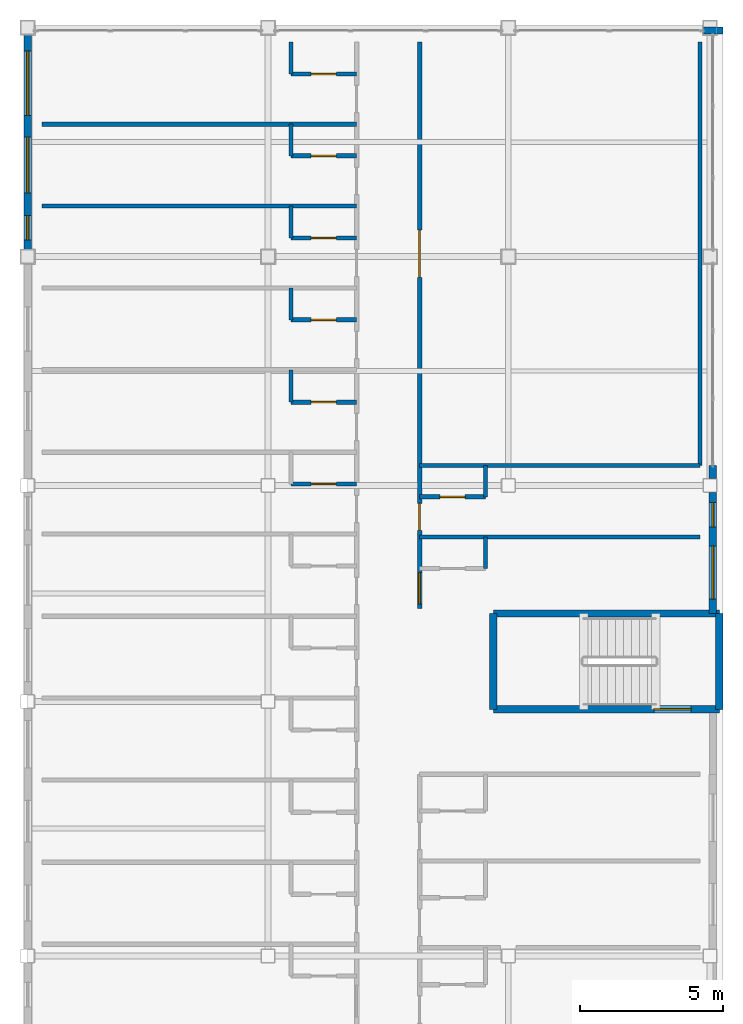
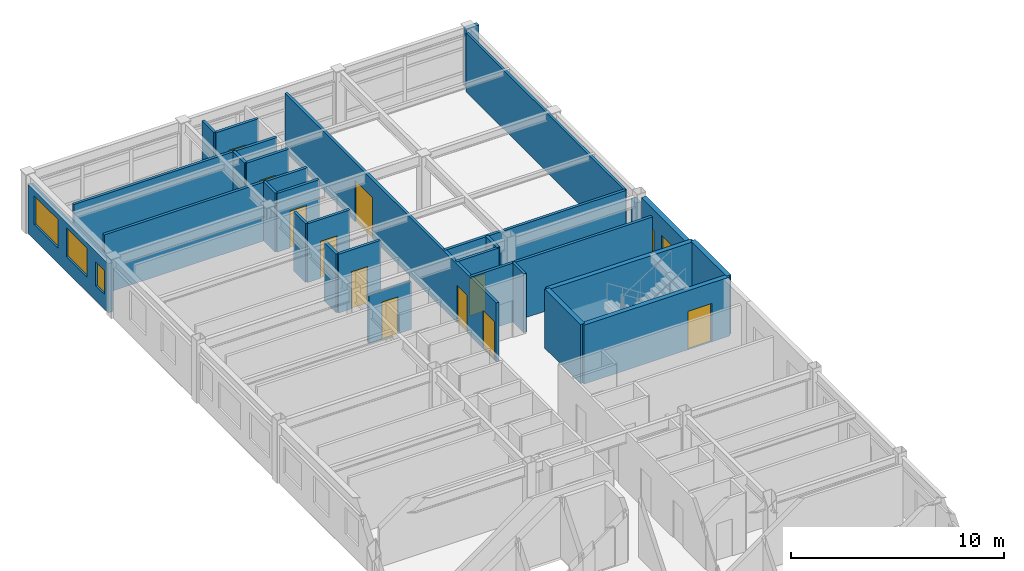
# One storey, part 30 of 33: 28 walls, 11 doors, 5 windows, 16 openings.
"""IFC4 building model written with IfcOpenShell, lengths in metres."""

from ifc_helpers import new_model, si_unit, direction, frame, frame_2d, origin, place, context, subcontext, project, spatial, rectangle, extrude, material, layer, layer_set, type_object, element, fill, save


model = new_model("IFC4")

# Units and contexts
model_context = context("Model", 3, precision=1e-05, world=origin(), true_north=direction((0.0, 1.0)))
body_context = subcontext(model_context, "Body", "Model", "MODEL_VIEW")
ifc_project = project(units=[si_unit("LENGTHUNIT", "METRE"), si_unit("AREAUNIT", "SQUARE_METRE"), si_unit("VOLUMEUNIT", "CUBIC_METRE"), si_unit("PLANEANGLEUNIT", "RADIAN"), si_unit("MASSUNIT", "GRAM", prefix="KILO")], contexts=[model_context])

# Site, building, storey
site_placement = place(None, origin())
site = spatial("IfcSite", under=ifc_project, at=site_placement, CompositionType="ELEMENT")
building_placement = place(site_placement, origin())
building = spatial("IfcBuilding", under=site, at=building_placement, Name="Kazehara Bluff Congress Hotel", CompositionType="ELEMENT")
storey_placement = place(building_placement, frame((0.0, 0.0, 39.0)))
storey = spatial("IfcBuildingStorey", under=building, at=storey_placement, Name="L09", CompositionType="ELEMENT", Elevation=39.0)

# Walls
ifc_material_1 = material(Name="Concrete C40/50", Category="concrete")
ifc_layer_1 = layer(ifc_material_1, 0.25)
ifc_layer_set_1 = layer_set([ifc_layer_1], Name="Concrete C40/50")
wall_type_1 = type_object("IfcWallType", Name="TP-CW-RC", PredefinedType="SHEAR", material=ifc_layer_set_1)
for number, where, z_axis, x_axis, name in (
    (1, (167.875, 76.425048828125, 0.0), (0.0, 0.0, 1.0), (0.0, -1.0, 0.0), "L09 ST-12 core wall near"),
    (2, (159.97509765625, 73.074951171875, 0.0), (0.0, 0.0, 1.0), (0.0, 1.0, 0.0), "L09 ST-12 core wall far"),
):
    element("IfcWall", number, at=place(storey_placement, frame(where, z_axis=z_axis, x_axis=x_axis)), inside=storey, type_object=wall_type_1, Name=name, PredefinedType="SHEAR", context=body_context, shape_type="SweptSolid", body=[
        extrude(rectangle(XDim=3.35009765625, YDim=0.25, at=frame_2d((1.675048828125, 0.0))), origin(), (0.0, 0.0, 1.0), 3.3798828125),
    ])
wall_1_placement = place(storey_placement, frame((159.97509765625, 76.425048828125, 0.0), z_axis=(0.0, 0.0, 1.0), x_axis=(1.0, 0.0, 0.0)))
element("IfcWall", 3, at=wall_1_placement, inside=storey, type_object=wall_type_1, Name="L09 ST-12 core wall left", PredefinedType="SHEAR", context=body_context, shape_type="SweptSolid", body=[
    extrude(rectangle(XDim=7.89990234375, YDim=0.25, at=frame_2d((3.949951171875, 0.0))), origin(), (0.0, 0.0, 1.0), 3.3798828125),
])

# Wall, opening, door
wall_2_placement = place(storey_placement, frame((167.875, 73.074951171875, 0.0), z_axis=(0.0, 0.0, 1.0), x_axis=(-1.0, 0.0, 0.0)))
wall_2 = element("IfcWall", 4, at=wall_2_placement, inside=storey, type_object=wall_type_1, Name="L09 ST-12 core wall right", PredefinedType="SHEAR", context=body_context, shape_type="SweptSolid", body=[
    extrude(rectangle(XDim=7.89990234375, YDim=0.25, at=frame_2d((3.949951171875, 0.0))), origin(), (0.0, 0.0, 1.0), 3.3798828125),
])
opening_1_placement = place(wall_2_placement, frame((0.985107421875, 0.0, 0.0)))
opening_1 = element("IfcOpeningElement", 5, at=opening_1_placement, cuts=wall_2, Name="Opening FD-01", PredefinedType="OPENING", context=body_context, shape_type="SweptSolid", body=[
    extrude(rectangle(XDim=1.300048828125, YDim=2.199951171875, at=frame_2d((0.64990234375, 1.10009765625))), frame((0.0, 0.135009765625, 0.0), z_axis=(0.0, -1.0, 0.0), x_axis=(1.0, 0.0, 0.0)), (0.0, 0.0, 1.0), 0.27001953125),
])
ifc_material_2 = material(Name="Fire-rated painted steel leaf", Category="steel")
door_type_1 = type_object("IfcDoorType", Name="TP-FD-01", OperationType="NOTDEFINED", PredefinedType="DOOR", material=ifc_material_2)
door_1_placement = place(opening_1_placement, origin())
door_1 = element("IfcDoor", 6, at=door_1_placement, inside=storey, type_object=door_type_1, Name="L09 ST-12 fire stair door", OperationType="SINGLE_SWING_LEFT", OverallHeight=2.199951171875, OverallWidth=1.300048828125, PredefinedType="DOOR", context=body_context, shape_type="SweptSolid", body=[
    extrude(rectangle(XDim=1.300048828125, YDim=2.199951171875, at=frame_2d((0.64990234375, 1.10009765625))), frame((0.0, 0.02490234375, 0.0), z_axis=(0.0, -1.0, 0.0), x_axis=(1.0, 0.0, 0.0)), (0.0, 0.0, 1.0), 0.050048828125),
])
fill(opening_1, door_1)

# Wall
ifc_material_3 = material(Name="Precast concrete C40/50", Category="concrete")
ifc_layer_2 = layer(ifc_material_3, 0.239990234375)
ifc_layer_set_2 = layer_set([ifc_layer_2], Name="Precast concrete C40/50")
wall_type_2 = type_object("IfcWallType", Name="TP-EW-240", PredefinedType="SOLIDWALL", material=ifc_layer_set_2)
wall_3_placement = place(storey_placement, frame((167.300048828125, 96.800048828125, 0.0), z_axis=(0.0, 0.0, 1.0), x_axis=(1.0, 0.0, 0.0)))
element("IfcWall", 7, at=wall_3_placement, inside=storey, type_object=wall_type_2, Name="L09 V5 perimeter spandrel pier 754", PredefinedType="SOLIDWALL", context=body_context, shape_type="SweptSolid", body=[
    extrude(rectangle(XDim=0.699951171875, YDim=0.239990234375, at=frame_2d((0.35009765625, 0.0))), origin(), (0.0, 0.0, 1.0), 3.364990234375),
])

# Wall, openings, windows
ifc_material_4 = material(Name="Precast concrete C40/50", Category="concrete")
ifc_layer_3 = layer(ifc_material_4, 0.260009765625)
ifc_layer_set_3 = layer_set([ifc_layer_3], Name="Precast concrete C40/50")
wall_type_3 = type_object("IfcWallType", Name="TP-EW-260", PredefinedType="SOLIDWALL", material=ifc_layer_set_3)
wall_4_placement = place(storey_placement, frame((167.64990234375, 80.64990234375, 0.0), z_axis=(0.0, 0.0, 1.0), x_axis=(0.0, -1.0, 0.0)))
wall_4 = element("IfcWall", 8, at=wall_4_placement, inside=storey, type_object=wall_type_3, Name="L09 hotel facade panel 138", PredefinedType="SOLIDWALL", context=body_context, shape_type="SweptSolid", body=[
    extrude(rectangle(XDim=4.224853515625, YDim=0.260009765625, at=frame_2d((2.1123046875, 0.0))), origin(), (0.0, 0.0, 1.0), 3.364990234375),
])
opening_2_placement = place(wall_4_placement, frame((1.875, 0.0, 0.85009765625)))
opening_2 = element("IfcOpeningElement", 9, at=opening_2_placement, cuts=wall_4, Name="Opening WN-37", PredefinedType="OPENING", context=body_context, shape_type="SweptSolid", body=[
    extrude(rectangle(XDim=1.85009765625, YDim=1.5, at=frame_2d((0.925048828125, 0.75))), frame((0.0, 0.139892578125, 0.0), z_axis=(0.0, -1.0, 0.0), x_axis=(1.0, 0.0, 0.0)), (0.0, 0.0, 1.0), 0.280029296875),
])
opening_3_placement = place(wall_4_placement, frame((0.35009765625, 0.0, 0.85009765625)))
opening_3 = element("IfcOpeningElement", 10, at=opening_3_placement, cuts=wall_4, Name="Opening WN-55", PredefinedType="OPENING", context=body_context, shape_type="SweptSolid", body=[
    extrude(rectangle(XDim=0.85009765625, YDim=1.35009765625, at=frame_2d((0.425048828125, 0.675048828125))), frame((0.0, 0.139892578125, 0.0), z_axis=(0.0, -1.0, 0.0), x_axis=(1.0, 0.0, 0.0)), (0.0, 0.0, 1.0), 0.280029296875),
])
ifc_material_5 = material(Name="Insulated low-E double glazing", Category="glass")
window_type_1 = type_object("IfcWindowType", Name="TP-WN-37", PartitioningType="DOUBLE_PANEL_VERTICAL", PredefinedType="WINDOW", material=ifc_material_5)
window_1_placement = place(opening_2_placement, origin())
window_1 = element("IfcWindow", 11, at=window_1_placement, inside=storey, type_object=window_type_1, Name="L09 guestroom window WN-37 272", OverallHeight=1.5, OverallWidth=1.85009765625, PartitioningType="SINGLE_PANEL", PredefinedType="WINDOW", context=body_context, shape_type="SweptSolid", body=[
    extrude(rectangle(XDim=1.85009765625, YDim=1.5, at=frame_2d((0.925048828125, 0.75))), frame((0.0, 0.030029296875, 0.0), z_axis=(0.0, -1.0, 0.0), x_axis=(1.0, 0.0, 0.0)), (0.0, 0.0, 1.0), 0.06005859375),
])
fill(opening_2, window_1)
ifc_material_6 = material(Name="Insulated low-E double glazing", Category="glass")
window_type_2 = type_object("IfcWindowType", Name="TP-WN-55", PartitioningType="SINGLE_PANEL", PredefinedType="WINDOW", material=ifc_material_6)
window_2_placement = place(opening_3_placement, origin())
window_2 = element("IfcWindow", 12, at=window_2_placement, inside=storey, type_object=window_type_2, Name="L09 guestroom window WN-55 273", OverallHeight=1.35009765625, OverallWidth=0.85009765625, PartitioningType="SINGLE_PANEL", PredefinedType="WINDOW", context=body_context, shape_type="SweptSolid", body=[
    extrude(rectangle(XDim=0.85009765625, YDim=1.35009765625, at=frame_2d((0.425048828125, 0.675048828125))), frame((0.0, 0.030029296875, 0.0), z_axis=(0.0, -1.0, 0.0), x_axis=(1.0, 0.0, 0.0)), (0.0, 0.0, 1.0), 0.06005859375),
])
fill(opening_3, window_2)

# Wall
wall_5_placement = place(storey_placement, frame((167.64990234375, 81.60009765625, 0.0), z_axis=(0.0, 0.0, 1.0), x_axis=(0.0, -1.0, 0.0)))
element("IfcWall", 13, at=wall_5_placement, inside=storey, type_object=wall_type_3, Name="L09 hotel facade panel 139", PredefinedType="SOLIDWALL", context=body_context, shape_type="SweptSolid", body=[
    extrude(rectangle(XDim=0.4501953125, YDim=0.260009765625, at=frame_2d((0.22509765625, 0.0))), origin(), (0.0, 0.0, 1.0), 2.7548828125),
])

# Wall, openings, windows
wall_6_placement = place(storey_placement, frame((143.699951171875, 89.14990234375, 0.0), z_axis=(0.0, 0.0, 1.0), x_axis=(0.0, 1.0, 0.0)))
wall_6 = element("IfcWall", 14, at=wall_6_placement, inside=storey, type_object=wall_type_3, Name="L09 hotel facade panel 149", PredefinedType="SOLIDWALL", context=body_context, shape_type="SweptSolid", body=[
    extrude(rectangle(XDim=7.5, YDim=0.260009765625, at=frame_2d((3.75, 0.0))), origin(), (0.0, 0.0, 1.0), 2.804931640625),
])
opening_4_placement = place(wall_6_placement, frame((0.330078125, 0.0, 0.85009765625)))
opening_4 = element("IfcOpeningElement", 15, at=opening_4_placement, cuts=wall_6, Name="Opening WN-55", PredefinedType="OPENING", context=body_context, shape_type="SweptSolid", body=[
    extrude(rectangle(XDim=0.85009765625, YDim=1.35009765625, at=frame_2d((0.425048828125, 0.675048828125))), frame((0.0, 0.139892578125, 0.0), z_axis=(0.0, -1.0, 0.0), x_axis=(1.0, 0.0, 0.0)), (0.0, 0.0, 1.0), 0.280029296875),
])
opening_5_placement = place(wall_6_placement, frame((1.97509765625, 0.0, 0.85009765625)))
opening_5 = element("IfcOpeningElement", 16, at=opening_5_placement, cuts=wall_6, Name="Opening WN-43", PredefinedType="OPENING", context=body_context, shape_type="SweptSolid", body=[
    extrude(rectangle(XDim=1.949951171875, YDim=1.64990234375, at=frame_2d((0.97509765625, 0.824951171875))), frame((0.0, 0.139892578125, 0.0), z_axis=(0.0, -1.0, 0.0), x_axis=(1.0, 0.0, 0.0)), (0.0, 0.0, 1.0), 0.280029296875),
])
opening_6_placement = place(wall_6_placement, frame((4.68994140625, 0.0, 0.85009765625)))
opening_6 = element("IfcOpeningElement", 17, at=opening_6_placement, cuts=wall_6, Name="Opening WN-53", PredefinedType="OPENING", context=body_context, shape_type="SweptSolid", body=[
    extrude(rectangle(XDim=2.25, YDim=1.64990234375, at=frame_2d((1.125, 0.824951171875))), frame((0.0, 0.139892578125, 0.0), z_axis=(0.0, -1.0, 0.0), x_axis=(1.0, 0.0, 0.0)), (0.0, 0.0, 1.0), 0.280029296875),
])
ifc_material_7 = material(Name="Insulated low-E double glazing", Category="glass")
window_type_3 = type_object("IfcWindowType", Name="TP-WN-43", PartitioningType="DOUBLE_PANEL_VERTICAL", PredefinedType="WINDOW", material=ifc_material_7)
window_3_placement = place(opening_5_placement, origin())
window_3 = element("IfcWindow", 18, at=window_3_placement, inside=storey, type_object=window_type_3, Name="L09 guestroom window WN-43 293", OverallHeight=1.64990234375, OverallWidth=1.949951171875, PartitioningType="SINGLE_PANEL", PredefinedType="WINDOW", context=body_context, shape_type="SweptSolid", body=[
    extrude(rectangle(XDim=1.949951171875, YDim=1.64990234375, at=frame_2d((0.97509765625, 0.824951171875))), frame((0.0, 0.030029296875, 0.0), z_axis=(0.0, -1.0, 0.0), x_axis=(1.0, 0.0, 0.0)), (0.0, 0.0, 1.0), 0.06005859375),
])
fill(opening_5, window_3)
ifc_material_8 = material(Name="Insulated low-E double glazing", Category="glass")
window_type_4 = type_object("IfcWindowType", Name="TP-WN-53", PartitioningType="DOUBLE_PANEL_VERTICAL", PredefinedType="WINDOW", material=ifc_material_8)
window_4_placement = place(opening_6_placement, origin())
window_4 = element("IfcWindow", 19, at=window_4_placement, inside=storey, type_object=window_type_4, Name="L09 guestroom window WN-53 294", OverallHeight=1.64990234375, OverallWidth=2.25, PartitioningType="SINGLE_PANEL", PredefinedType="WINDOW", context=body_context, shape_type="SweptSolid", body=[
    extrude(rectangle(XDim=2.25, YDim=1.64990234375, at=frame_2d((1.125, 0.824951171875))), frame((0.0, 0.030029296875, 0.0), z_axis=(0.0, -1.0, 0.0), x_axis=(1.0, 0.0, 0.0)), (0.0, 0.0, 1.0), 0.06005859375),
])
fill(opening_6, window_4)
window_5_placement = place(opening_4_placement, origin())
window_5 = element("IfcWindow", 20, at=window_5_placement, inside=storey, type_object=window_type_2, Name="L09 guestroom window WN-55 292", OverallHeight=1.35009765625, OverallWidth=0.85009765625, PartitioningType="SINGLE_PANEL", PredefinedType="WINDOW", context=body_context, shape_type="SweptSolid", body=[
    extrude(rectangle(XDim=0.85009765625, YDim=1.35009765625, at=frame_2d((0.425048828125, 0.675048828125))), frame((0.0, 0.030029296875, 0.0), z_axis=(0.0, -1.0, 0.0), x_axis=(1.0, 0.0, 0.0)), (0.0, 0.0, 1.0), 0.06005859375),
])
fill(opening_4, window_5)

# Walls
ifc_material_9 = material(Name="Fire-rated gypsum board stud partition")
ifc_layer_4 = layer(ifc_material_9, 0.1298828125)
ifc_layer_set_4 = layer_set([ifc_layer_4], Name="Fire-rated gypsum board stud partition")
wall_type_4 = type_object("IfcWallType", Name="TP-PT-130", PredefinedType="PARTITIONING", material=ifc_layer_set_4)
wall_7_placement = place(storey_placement, frame((167.199951171875, 81.60009765625, 0.0), z_axis=(0.0, 0.0, 1.0), x_axis=(0.0, 1.0, 0.0)))
element("IfcWall", 21, at=wall_7_placement, inside=storey, type_object=wall_type_4, Name="L09 partition PT-130 1315", PredefinedType="PARTITIONING", context=body_context, shape_type="SweptSolid", body=[
    extrude(rectangle(XDim=14.7998046875, YDim=0.1298828125, at=frame_2d((7.39990234375, 0.0))), origin(), (0.0, 0.0, 1.0), 3.364990234375),
])
ifc_material_10 = material(Name="Fire-rated gypsum board stud partition")
ifc_layer_5 = layer(ifc_material_10, 0.14990234375)
ifc_layer_set_5 = layer_set([ifc_layer_5], Name="Fire-rated gypsum board stud partition")
wall_type_5 = type_object("IfcWallType", Name="TP-PT-150", PredefinedType="PARTITIONING", material=ifc_layer_set_5)
wall_8_placement = place(storey_placement, frame((157.39990234375, 79.10009765625, 0.0), z_axis=(0.0, 0.0, 1.0), x_axis=(1.0, 0.0, 0.0)))
element("IfcWall", 22, at=wall_8_placement, inside=storey, type_object=wall_type_5, Name="L09 partition PT-150 1246", PredefinedType="PARTITIONING", context=body_context, shape_type="SweptSolid", body=[
    extrude(rectangle(XDim=9.800048828125, YDim=0.14990234375, at=frame_2d((4.89990234375, 0.0))), origin(), (0.0, 0.0, 1.0), 3.364990234375),
])

# Wall, opening, door
wall_9_placement = place(storey_placement, frame((157.39990234375, 80.5, 0.0), z_axis=(0.0, 0.0, 1.0), x_axis=(1.0, 0.0, 0.0)))
wall_9 = element("IfcWall", 23, at=wall_9_placement, inside=storey, type_object=wall_type_5, Name="L09 partition PT-150 1248", PredefinedType="PARTITIONING", context=body_context, shape_type="SweptSolid", body=[
    extrude(rectangle(XDim=2.300048828125, YDim=0.14990234375, at=frame_2d((1.14990234375, 0.0))), origin(), (0.0, 0.0, 1.0), 3.364990234375),
])
opening_7_placement = place(wall_9_placement, frame((0.7099609375, 0.0, 0.0)))
opening_7 = element("IfcOpeningElement", 24, at=opening_7_placement, cuts=wall_9, Name="Opening BD-02", PredefinedType="OPENING", context=body_context, shape_type="SweptSolid", body=[
    extrude(rectangle(XDim=0.8798828125, YDim=2.1201171875, at=frame_2d((0.43994140625, 1.06005859375))), frame((0.0, 0.0849609375, 0.0), z_axis=(0.0, -1.0, 0.0), x_axis=(1.0, 0.0, 0.0)), (0.0, 0.0, 1.0), 0.169921875),
])
ifc_material_11 = material(Name="Architectural oak veneer leaf")
door_type_2 = type_object("IfcDoorType", Name="TP-BD-02", OperationType="NOTDEFINED", PredefinedType="DOOR", material=ifc_material_11)
door_2_placement = place(opening_7_placement, origin())
door_2 = element("IfcDoor", 25, at=door_2_placement, inside=storey, type_object=door_type_2, Name="L09 En-suite Bathroom 294 door", OperationType="SINGLE_SWING_RIGHT", OverallHeight=2.1201171875, OverallWidth=0.8798828125, PredefinedType="DOOR", context=body_context, shape_type="SweptSolid", body=[
    extrude(rectangle(XDim=0.8798828125, YDim=2.1201171875, at=frame_2d((0.43994140625, 1.06005859375))), frame((0.0, 0.02490234375, 0.0), z_axis=(0.0, -1.0, 0.0), x_axis=(1.0, 0.0, 0.0)), (0.0, 0.0, 1.0), 0.050048828125),
])
fill(opening_7, door_2)

wall_10_placement = place(storey_placement, frame((152.89990234375, 80.949951171875, 0.0), z_axis=(0.0, 0.0, 1.0), x_axis=(1.0, 0.0, 0.0)))
wall_10 = element("IfcWall", 26, at=wall_10_placement, inside=storey, type_object=wall_type_5, Name="L09 partition PT-150 1249", PredefinedType="PARTITIONING", context=body_context, shape_type="SweptSolid", body=[
    extrude(rectangle(XDim=2.300048828125, YDim=0.14990234375, at=frame_2d((1.14990234375, 0.0))), origin(), (0.0, 0.0, 1.0), 2.7548828125),
])
opening_8_placement = place(wall_10_placement, frame((0.7099609375, 0.0, 0.0)))
opening_8 = element("IfcOpeningElement", 27, at=opening_8_placement, cuts=wall_10, Name="Opening BD-02", PredefinedType="OPENING", context=body_context, shape_type="SweptSolid", body=[
    extrude(rectangle(XDim=0.8798828125, YDim=2.1201171875, at=frame_2d((0.43994140625, 1.06005859375))), frame((0.0, 0.0849609375, 0.0), z_axis=(0.0, -1.0, 0.0), x_axis=(1.0, 0.0, 0.0)), (0.0, 0.0, 1.0), 0.169921875),
])
door_3_placement = place(opening_8_placement, origin())
door_3 = element("IfcDoor", 28, at=door_3_placement, inside=storey, type_object=door_type_2, Name="L09 En-suite Bathroom 268 door", OperationType="SINGLE_SWING_RIGHT", OverallHeight=2.1201171875, OverallWidth=0.8798828125, PredefinedType="DOOR", context=body_context, shape_type="SweptSolid", body=[
    extrude(rectangle(XDim=0.8798828125, YDim=2.1201171875, at=frame_2d((0.43994140625, 1.06005859375))), frame((0.0, 0.02490234375, 0.0), z_axis=(0.0, -1.0, 0.0), x_axis=(1.0, 0.0, 0.0)), (0.0, 0.0, 1.0), 0.050048828125),
])
fill(opening_8, door_3)

# Wall
wall_11_placement = place(storey_placement, frame((157.39990234375, 81.60009765625, 0.0), z_axis=(0.0, 0.0, 1.0), x_axis=(1.0, 0.0, 0.0)))
element("IfcWall", 29, at=wall_11_placement, inside=storey, type_object=wall_type_5, Name="L09 partition PT-150 1250", PredefinedType="PARTITIONING", context=body_context, shape_type="SweptSolid", body=[
    extrude(rectangle(XDim=9.800048828125, YDim=0.14990234375, at=frame_2d((4.89990234375, 0.0))), origin(), (0.0, 0.0, 1.0), 3.364990234375),
])

# Wall, opening, door
wall_12_placement = place(storey_placement, frame((152.89990234375, 83.81005859375, 0.0), z_axis=(0.0, 0.0, 1.0), x_axis=(1.0, 0.0, 0.0)))
wall_12 = element("IfcWall", 30, at=wall_12_placement, inside=storey, type_object=wall_type_5, Name="L09 partition PT-150 1252", PredefinedType="PARTITIONING", context=body_context, shape_type="SweptSolid", body=[
    extrude(rectangle(XDim=2.300048828125, YDim=0.14990234375, at=frame_2d((1.14990234375, 0.0))), origin(), (0.0, 0.0, 1.0), 3.364990234375),
])
opening_9_placement = place(wall_12_placement, frame((0.7099609375, 0.0, 0.0)))
opening_9 = element("IfcOpeningElement", 31, at=opening_9_placement, cuts=wall_12, Name="Opening BD-02", PredefinedType="OPENING", context=body_context, shape_type="SweptSolid", body=[
    extrude(rectangle(XDim=0.8798828125, YDim=2.1201171875, at=frame_2d((0.43994140625, 1.06005859375))), frame((0.0, 0.0849609375, 0.0), z_axis=(0.0, -1.0, 0.0), x_axis=(1.0, 0.0, 0.0)), (0.0, 0.0, 1.0), 0.169921875),
])
door_4_placement = place(opening_9_placement, origin())
door_4 = element("IfcDoor", 32, at=door_4_placement, inside=storey, type_object=door_type_2, Name="L09 En-suite Bathroom 269 door", OperationType="SINGLE_SWING_RIGHT", OverallHeight=2.1201171875, OverallWidth=0.8798828125, PredefinedType="DOOR", context=body_context, shape_type="SweptSolid", body=[
    extrude(rectangle(XDim=0.8798828125, YDim=2.1201171875, at=frame_2d((0.43994140625, 1.06005859375))), frame((0.0, 0.02490234375, 0.0), z_axis=(0.0, -1.0, 0.0), x_axis=(1.0, 0.0, 0.0)), (0.0, 0.0, 1.0), 0.050048828125),
])
fill(opening_9, door_4)

wall_13_placement = place(storey_placement, frame((152.89990234375, 86.68994140625, 0.0), z_axis=(0.0, 0.0, 1.0), x_axis=(1.0, 0.0, 0.0)))
wall_13 = element("IfcWall", 33, at=wall_13_placement, inside=storey, type_object=wall_type_5, Name="L09 partition PT-150 1254", PredefinedType="PARTITIONING", context=body_context, shape_type="SweptSolid", body=[
    extrude(rectangle(XDim=2.300048828125, YDim=0.14990234375, at=frame_2d((1.14990234375, 0.0))), origin(), (0.0, 0.0, 1.0), 3.364990234375),
])
opening_10_placement = place(wall_13_placement, frame((0.7099609375, 0.0, 0.0)))
opening_10 = element("IfcOpeningElement", 34, at=opening_10_placement, cuts=wall_13, Name="Opening BD-02", PredefinedType="OPENING", context=body_context, shape_type="SweptSolid", body=[
    extrude(rectangle(XDim=0.8798828125, YDim=2.1201171875, at=frame_2d((0.43994140625, 1.06005859375))), frame((0.0, 0.0849609375, 0.0), z_axis=(0.0, -1.0, 0.0), x_axis=(1.0, 0.0, 0.0)), (0.0, 0.0, 1.0), 0.169921875),
])
door_5_placement = place(opening_10_placement, origin())
door_5 = element("IfcDoor", 35, at=door_5_placement, inside=storey, type_object=door_type_2, Name="L09 En-suite Bathroom 270 door", OperationType="SINGLE_SWING_RIGHT", OverallHeight=2.1201171875, OverallWidth=0.8798828125, PredefinedType="DOOR", context=body_context, shape_type="SweptSolid", body=[
    extrude(rectangle(XDim=0.8798828125, YDim=2.1201171875, at=frame_2d((0.43994140625, 1.06005859375))), frame((0.0, 0.02490234375, 0.0), z_axis=(0.0, -1.0, 0.0), x_axis=(1.0, 0.0, 0.0)), (0.0, 0.0, 1.0), 0.050048828125),
])
fill(opening_10, door_5)

wall_14_placement = place(storey_placement, frame((152.89990234375, 89.550048828125, 0.0), z_axis=(0.0, 0.0, 1.0), x_axis=(1.0, 0.0, 0.0)))
wall_14 = element("IfcWall", 36, at=wall_14_placement, inside=storey, type_object=wall_type_5, Name="L09 partition PT-150 1256", PredefinedType="PARTITIONING", context=body_context, shape_type="SweptSolid", body=[
    extrude(rectangle(XDim=2.300048828125, YDim=0.14990234375, at=frame_2d((1.14990234375, 0.0))), origin(), (0.0, 0.0, 1.0), 3.364990234375),
])
opening_11_placement = place(wall_14_placement, frame((0.7099609375, 0.0, 0.0)))
opening_11 = element("IfcOpeningElement", 37, at=opening_11_placement, cuts=wall_14, Name="Opening BD-02", PredefinedType="OPENING", context=body_context, shape_type="SweptSolid", body=[
    extrude(rectangle(XDim=0.8798828125, YDim=2.1201171875, at=frame_2d((0.43994140625, 1.06005859375))), frame((0.0, 0.0849609375, 0.0), z_axis=(0.0, -1.0, 0.0), x_axis=(1.0, 0.0, 0.0)), (0.0, 0.0, 1.0), 0.169921875),
])
door_6_placement = place(opening_11_placement, origin())
door_6 = element("IfcDoor", 38, at=door_6_placement, inside=storey, type_object=door_type_2, Name="L09 En-suite Bathroom 271 door", OperationType="SINGLE_SWING_RIGHT", OverallHeight=2.1201171875, OverallWidth=0.8798828125, PredefinedType="DOOR", context=body_context, shape_type="SweptSolid", body=[
    extrude(rectangle(XDim=0.8798828125, YDim=2.1201171875, at=frame_2d((0.43994140625, 1.06005859375))), frame((0.0, 0.02490234375, 0.0), z_axis=(0.0, -1.0, 0.0), x_axis=(1.0, 0.0, 0.0)), (0.0, 0.0, 1.0), 0.050048828125),
])
fill(opening_11, door_6)

# Wall
wall_15_placement = place(storey_placement, frame((144.199951171875, 90.669921875, 0.0), z_axis=(0.0, 0.0, 1.0), x_axis=(1.0, 0.0, 0.0)))
element("IfcWall", 39, at=wall_15_placement, inside=storey, type_object=wall_type_5, Name="L09 partition PT-150 1257", PredefinedType="PARTITIONING", context=body_context, shape_type="SweptSolid", body=[
    extrude(rectangle(XDim=11.0, YDim=0.14990234375, at=frame_2d((5.5, 0.0))), origin(), (0.0, 0.0, 1.0), 3.364990234375),
])

# Wall, opening, door
wall_16_placement = place(storey_placement, frame((152.89990234375, 92.419921875, 0.0), z_axis=(0.0, 0.0, 1.0), x_axis=(1.0, 0.0, 0.0)))
wall_16 = element("IfcWall", 40, at=wall_16_placement, inside=storey, type_object=wall_type_5, Name="L09 partition PT-150 1258", PredefinedType="PARTITIONING", context=body_context, shape_type="SweptSolid", body=[
    extrude(rectangle(XDim=2.300048828125, YDim=0.14990234375, at=frame_2d((1.14990234375, 0.0))), origin(), (0.0, 0.0, 1.0), 3.364990234375),
])
opening_12_placement = place(wall_16_placement, frame((0.7099609375, 0.0, 0.0)))
opening_12 = element("IfcOpeningElement", 41, at=opening_12_placement, cuts=wall_16, Name="Opening BD-02", PredefinedType="OPENING", context=body_context, shape_type="SweptSolid", body=[
    extrude(rectangle(XDim=0.8798828125, YDim=2.1201171875, at=frame_2d((0.43994140625, 1.06005859375))), frame((0.0, 0.0849609375, 0.0), z_axis=(0.0, -1.0, 0.0), x_axis=(1.0, 0.0, 0.0)), (0.0, 0.0, 1.0), 0.169921875),
])
door_7_placement = place(opening_12_placement, origin())
door_7 = element("IfcDoor", 42, at=door_7_placement, inside=storey, type_object=door_type_2, Name="L09 En-suite Bathroom 272 door", OperationType="SINGLE_SWING_RIGHT", OverallHeight=2.1201171875, OverallWidth=0.8798828125, PredefinedType="DOOR", context=body_context, shape_type="SweptSolid", body=[
    extrude(rectangle(XDim=0.8798828125, YDim=2.1201171875, at=frame_2d((0.43994140625, 1.06005859375))), frame((0.0, 0.02490234375, 0.0), z_axis=(0.0, -1.0, 0.0), x_axis=(1.0, 0.0, 0.0)), (0.0, 0.0, 1.0), 0.050048828125),
])
fill(opening_12, door_7)

# Wall
wall_17_placement = place(storey_placement, frame((144.199951171875, 93.530029296875, 0.0), z_axis=(0.0, 0.0, 1.0), x_axis=(1.0, 0.0, 0.0)))
element("IfcWall", 43, at=wall_17_placement, inside=storey, type_object=wall_type_5, Name="L09 partition PT-150 1259", PredefinedType="PARTITIONING", context=body_context, shape_type="SweptSolid", body=[
    extrude(rectangle(XDim=11.0, YDim=0.14990234375, at=frame_2d((5.5, 0.0))), origin(), (0.0, 0.0, 1.0), 3.364990234375),
])

# Wall, opening, door
wall_18_placement = place(storey_placement, frame((152.89990234375, 95.280029296875, 0.0), z_axis=(0.0, 0.0, 1.0), x_axis=(1.0, 0.0, 0.0)))
wall_18 = element("IfcWall", 44, at=wall_18_placement, inside=storey, type_object=wall_type_5, Name="L09 partition PT-150 1260", PredefinedType="PARTITIONING", context=body_context, shape_type="SweptSolid", body=[
    extrude(rectangle(XDim=2.300048828125, YDim=0.14990234375, at=frame_2d((1.14990234375, 0.0))), origin(), (0.0, 0.0, 1.0), 3.364990234375),
])
opening_13_placement = place(wall_18_placement, frame((0.7099609375, 0.0, 0.0)))
opening_13 = element("IfcOpeningElement", 45, at=opening_13_placement, cuts=wall_18, Name="Opening BD-02", PredefinedType="OPENING", context=body_context, shape_type="SweptSolid", body=[
    extrude(rectangle(XDim=0.8798828125, YDim=2.1201171875, at=frame_2d((0.43994140625, 1.06005859375))), frame((0.0, 0.0849609375, 0.0), z_axis=(0.0, -1.0, 0.0), x_axis=(1.0, 0.0, 0.0)), (0.0, 0.0, 1.0), 0.169921875),
])
door_8_placement = place(opening_13_placement, origin())
door_8 = element("IfcDoor", 46, at=door_8_placement, inside=storey, type_object=door_type_2, Name="L09 En-suite Bathroom 273 door", OperationType="SINGLE_SWING_RIGHT", OverallHeight=2.1201171875, OverallWidth=0.8798828125, PredefinedType="DOOR", context=body_context, shape_type="SweptSolid", body=[
    extrude(rectangle(XDim=0.8798828125, YDim=2.1201171875, at=frame_2d((0.43994140625, 1.06005859375))), frame((0.0, 0.02490234375, 0.0), z_axis=(0.0, -1.0, 0.0), x_axis=(1.0, 0.0, 0.0)), (0.0, 0.0, 1.0), 0.050048828125),
])
fill(opening_13, door_8)

# Walls
wall_19_placement = place(storey_placement, frame((152.89990234375, 83.81494140625, 0.0), z_axis=(0.0, 0.0, 1.0), x_axis=(0.0, 1.0, 0.0)))
element("IfcWall", 47, at=wall_19_placement, inside=storey, type_object=wall_type_5, Name="L09 partition PT-150 1279", PredefinedType="PARTITIONING", context=body_context, shape_type="SweptSolid", body=[
    extrude(rectangle(XDim=1.1201171875, YDim=0.14990234375, at=frame_2d((0.56005859375, 0.0))), origin(), (0.0, 0.0, 1.0), 3.364990234375),
])
for number, where, z_axis, x_axis, name in (
    (48, (152.89990234375, 86.68505859375, 0.0), (0.0, 0.0, 1.0), (0.0, 1.0, 0.0), "L09 partition PT-150 1280"),
    (49, (152.89990234375, 89.550048828125, 0.0), (0.0, 0.0, 1.0), (0.0, 1.0, 0.0), "L09 partition PT-150 1281"),
):
    element("IfcWall", number, at=place(storey_placement, frame(where, z_axis=z_axis, x_axis=x_axis)), inside=storey, type_object=wall_type_5, Name=name, PredefinedType="PARTITIONING", context=body_context, shape_type="SweptSolid", body=[
        extrude(rectangle(XDim=1.114990234375, YDim=0.14990234375, at=frame_2d((0.5576171875, 0.0))), origin(), (0.0, 0.0, 1.0), 3.364990234375),
    ])
wall_20_placement = place(storey_placement, frame((152.89990234375, 92.4150390625, 0.0), z_axis=(0.0, 0.0, 1.0), x_axis=(0.0, 1.0, 0.0)))
element("IfcWall", 50, at=wall_20_placement, inside=storey, type_object=wall_type_5, Name="L09 partition PT-150 1282", PredefinedType="PARTITIONING", context=body_context, shape_type="SweptSolid", body=[
    extrude(rectangle(XDim=1.119873046875, YDim=0.14990234375, at=frame_2d((0.56005859375, 0.0))), origin(), (0.0, 0.0, 1.0), 3.364990234375),
])
wall_21_placement = place(storey_placement, frame((152.89990234375, 95.284912109375, 0.0), z_axis=(0.0, 0.0, 1.0), x_axis=(0.0, 1.0, 0.0)))
element("IfcWall", 51, at=wall_21_placement, inside=storey, type_object=wall_type_5, Name="L09 partition PT-150 1283", PredefinedType="PARTITIONING", context=body_context, shape_type="SweptSolid", body=[
    extrude(rectangle(XDim=1.114990234375, YDim=0.14990234375, at=frame_2d((0.5576171875, 0.0))), origin(), (0.0, 0.0, 1.0), 3.364990234375),
])

# Wall, openings, doors
wall_22_placement = place(storey_placement, frame((157.39990234375, 76.60009765625, 0.0), z_axis=(0.0, 0.0, 1.0), x_axis=(0.0, 1.0, 0.0)))
wall_22 = element("IfcWall", 52, at=wall_22_placement, inside=storey, type_object=wall_type_5, Name="L09 partition PT-150 1293", PredefinedType="PARTITIONING", context=body_context, shape_type="SweptSolid", body=[
    extrude(rectangle(XDim=19.7998046875, YDim=0.14990234375, at=frame_2d((9.89990234375, 0.0))), origin(), (0.0, 0.0, 1.0), 3.364990234375),
])
opening_14_placement = place(wall_22_placement, frame((11.574951171875, 0.0, 0.0)))
opening_14 = element("IfcOpeningElement", 53, at=opening_14_placement, cuts=wall_22, Name="Opening AD-04", PredefinedType="OPENING", context=body_context, shape_type="SweptSolid", body=[
    extrude(rectangle(XDim=1.64990234375, YDim=2.35009765625, at=frame_2d((0.824951171875, 1.175048828125))), frame((0.0, 0.0849609375, 0.0), z_axis=(0.0, -1.0, 0.0), x_axis=(1.0, 0.0, 0.0)), (0.0, 0.0, 1.0), 0.169921875),
])
opening_15_placement = place(wall_22_placement, frame((0.14990234375, 0.0, 0.0)))
opening_15 = element("IfcOpeningElement", 54, at=opening_15_placement, cuts=wall_22, Name="Opening GD-02", PredefinedType="OPENING", context=body_context, shape_type="SweptSolid", body=[
    extrude(rectangle(XDim=1.10009765625, YDim=2.199951171875, at=frame_2d((0.550048828125, 1.10009765625))), frame((0.0, 0.0849609375, 0.0), z_axis=(0.0, -1.0, 0.0), x_axis=(1.0, 0.0, 0.0)), (0.0, 0.0, 1.0), 0.169921875),
])
opening_16_placement = place(wall_22_placement, frame((2.72509765625, 0.0, 0.0)))
opening_16 = element("IfcOpeningElement", 55, at=opening_16_placement, cuts=wall_22, Name="Opening GD-01", PredefinedType="OPENING", context=body_context, shape_type="SweptSolid", body=[
    extrude(rectangle(XDim=0.949951171875, YDim=2.14990234375, at=frame_2d((0.47509765625, 1.074951171875))), frame((0.0, 0.0849609375, 0.0), z_axis=(0.0, -1.0, 0.0), x_axis=(1.0, 0.0, 0.0)), (0.0, 0.0, 1.0), 0.169921875),
])
ifc_material_12 = material(Name="Architectural oak veneer leaf")
door_type_3 = type_object("IfcDoorType", Name="TP-AD-04", OperationType="DOUBLE_DOOR_SINGLE_SWING", PredefinedType="DOOR", material=ifc_material_12)
door_9_placement = place(opening_14_placement, origin())
door_9 = element("IfcDoor", 56, at=door_9_placement, inside=storey, type_object=door_type_3, Name="L09 Osaka Castle View Observatory Lounge door", OperationType="DOUBLE_DOOR_SINGLE_SWING", OverallHeight=2.35009765625, OverallWidth=1.64990234375, PredefinedType="DOOR", context=body_context, shape_type="SweptSolid", body=[
    extrude(rectangle(XDim=1.64990234375, YDim=2.35009765625, at=frame_2d((0.824951171875, 1.175048828125))), frame((0.0, 0.02490234375, 0.0), z_axis=(0.0, -1.0, 0.0), x_axis=(1.0, 0.0, 0.0)), (0.0, 0.0, 1.0), 0.050048828125),
])
fill(opening_14, door_9)
ifc_material_13 = material(Name="Architectural oak veneer leaf")
door_type_4 = type_object("IfcDoorType", Name="TP-GD-01", OperationType="NOTDEFINED", PredefinedType="DOOR", material=ifc_material_13)
door_10_placement = place(opening_16_placement, origin())
door_10 = element("IfcDoor", 57, at=door_10_placement, inside=storey, type_object=door_type_4, Name="L09 Deluxe Twin Guest Room 294 door", OperationType="SINGLE_SWING_LEFT", OverallHeight=2.14990234375, OverallWidth=0.949951171875, PredefinedType="DOOR", context=body_context, shape_type="SweptSolid", body=[
    extrude(rectangle(XDim=0.949951171875, YDim=2.14990234375, at=frame_2d((0.47509765625, 1.074951171875))), frame((0.0, 0.02490234375, 0.0), z_axis=(0.0, -1.0, 0.0), x_axis=(1.0, 0.0, 0.0)), (0.0, 0.0, 1.0), 0.050048828125),
])
fill(opening_16, door_10)
ifc_material_14 = material(Name="Architectural oak veneer leaf")
door_type_5 = type_object("IfcDoorType", Name="TP-GD-02", OperationType="NOTDEFINED", PredefinedType="DOOR", material=ifc_material_14)
door_11_placement = place(opening_15_placement, origin())
door_11 = element("IfcDoor", 58, at=door_11_placement, inside=storey, type_object=door_type_5, Name="L09 Executive Suite 293 door", OperationType="SINGLE_SWING_LEFT", OverallHeight=2.199951171875, OverallWidth=1.10009765625, PredefinedType="DOOR", context=body_context, shape_type="SweptSolid", body=[
    extrude(rectangle(XDim=1.10009765625, YDim=2.199951171875, at=frame_2d((0.550048828125, 1.10009765625))), frame((0.0, 0.02490234375, 0.0), z_axis=(0.0, -1.0, 0.0), x_axis=(1.0, 0.0, 0.0)), (0.0, 0.0, 1.0), 0.050048828125),
])
fill(opening_15, door_11)

# Walls
for number, where, z_axis, x_axis, name in (
    (59, (159.699951171875, 78.0, 0.0), (0.0, 0.0, 1.0), (0.0, 1.0, 0.0), "L09 partition PT-150 1313"),
    (60, (159.699951171875, 80.5, 0.0), (0.0, 0.0, 1.0), (0.0, 1.0, 0.0), "L09 partition PT-150 1314"),
):
    element("IfcWall", number, at=place(storey_placement, frame(where, z_axis=z_axis, x_axis=x_axis)), inside=storey, type_object=wall_type_5, Name=name, PredefinedType="PARTITIONING", context=body_context, shape_type="SweptSolid", body=[
        extrude(rectangle(XDim=1.10009765625, YDim=0.14990234375, at=frame_2d((0.550048828125, 0.0))), origin(), (0.0, 0.0, 1.0), 3.364990234375),
    ])

save(model, "model.ifc")
